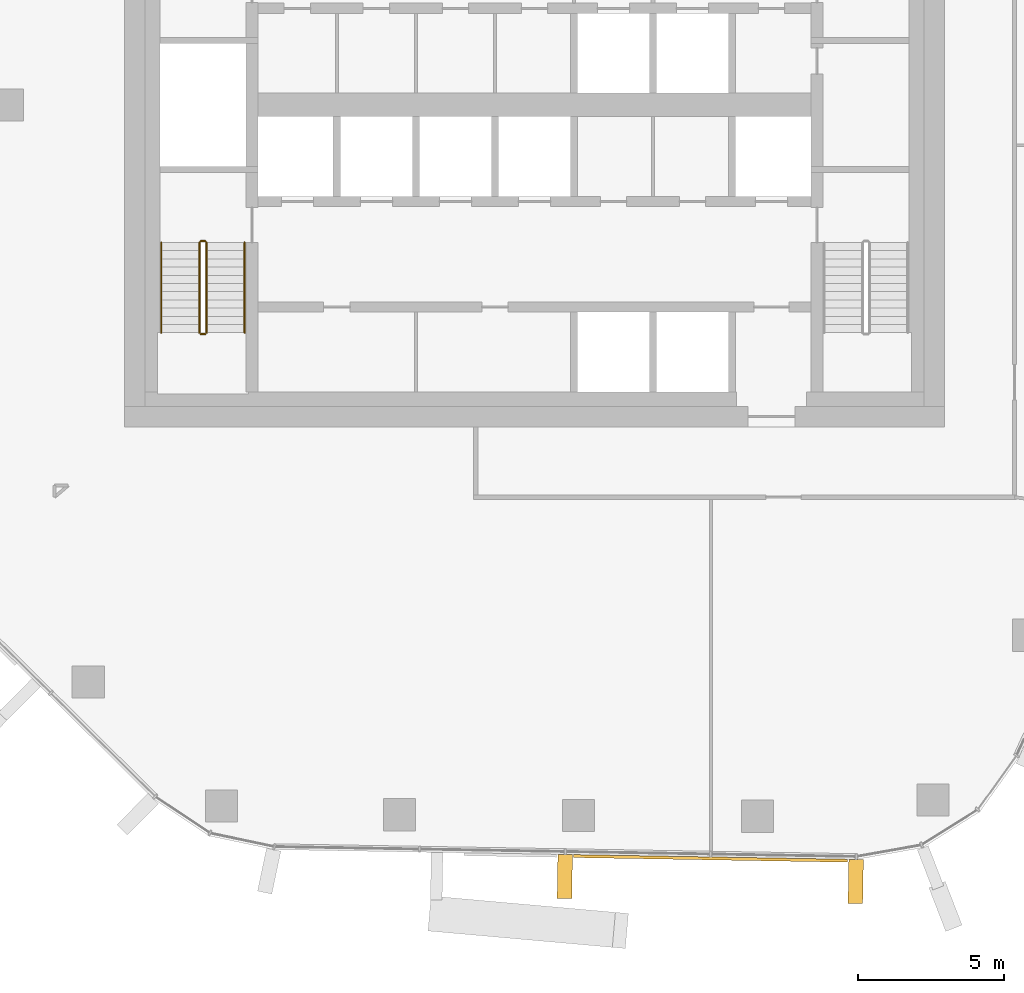
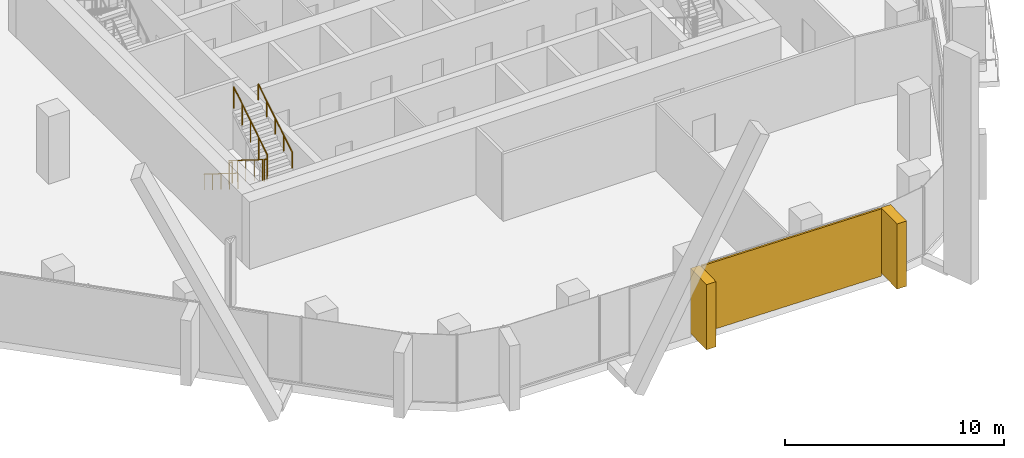
# One storey, part 15 of 20: 6 railings, 3 coverings, 1 element without a shape of its own.
"""IFC4 building model written with IfcOpenShell, lengths in metres."""

from ifc_helpers import new_model, si_unit, direction, frame, origin, origin_2d, place, context, subcontext, project, spatial, rectangle, circle, extrude, material, layer, layer_set, material_profile, profile_set, type_object, element, aggregate, save


model = new_model("IFC4")

# Units and contexts
model_context = context("Model", 3, precision=1e-05, world=origin(), true_north=direction((0.0, 1.0)))
body_context = subcontext(model_context, "Body", "Model", "MODEL_VIEW")
ifc_project = project(units=[si_unit("LENGTHUNIT", "METRE"), si_unit("AREAUNIT", "SQUARE_METRE"), si_unit("VOLUMEUNIT", "CUBIC_METRE"), si_unit("PLANEANGLEUNIT", "RADIAN"), si_unit("MASSUNIT", "GRAM", prefix="KILO")], contexts=[model_context])

# Site, building, storey
site_placement = place(None, origin())
site = spatial("IfcSite", under=ifc_project, at=site_placement, CompositionType="ELEMENT")
building_placement = place(site_placement, origin())
building = spatial("IfcBuilding", under=site, at=building_placement, Name="Dongbaek Canopy Tower", CompositionType="ELEMENT")
storey_placement = place(building_placement, frame((0.0, 0.0, 228.60009765625)))
storey = spatial("IfcBuildingStorey", under=building, at=storey_placement, Name="L47", CompositionType="ELEMENT", Elevation=228.60009765625)

# Curtain wall, coverings
ifc_material_1 = material(Name="Aluminium 6063-T6 pale anodised", Category="aluminium")
ifc_layer_1 = layer(ifc_material_1, 0.199951171875)
ifc_layer_set_1 = layer_set([ifc_layer_1], Name="CW-1 unitised tower curtain wall")
curtain_wall_type = type_object("IfcCurtainWallType", Name="CW-1 unitised tower curtain wall", PredefinedType="NOTDEFINED", material=ifc_layer_set_1)
curtain_wall_placement = place(storey_placement, origin())
curtain_wall = element("IfcCurtainWall", 1, at=curtain_wall_placement, inside=storey, type_object=curtain_wall_type, Name="CW-1 curtain wall F4.1", PredefinedType="NOTDEFINED")
ifc_material_2 = material(Name="Perforated aluminium 6063-T6 pale metal screen", Category="aluminium")
ifc_layer_2 = layer(ifc_material_2, 0.10009765625)
ifc_layer_set_2 = layer_set([ifc_layer_2], Name="Facet screen FS1 100 pale metal")
covering_type_1 = type_object("IfcCoveringType", Name="Facet screen FS1 100 pale metal", PredefinedType="CLADDING", material=ifc_layer_set_2)
covering_1_placement = place(storey_placement, frame((6.018310546875, -25.74169921875, 0.0), z_axis=(0.0, 0.0, 1.0), x_axis=(0.999855600853, -0.016993452933, 0.0)))
covering_1 = element("IfcCovering", 2, at=covering_1_placement, type_object=covering_type_1, Name="Facet screen L47 F4", PredefinedType="CLADDING", context=body_context, shape_type="SweptSolid", body=[
    extrude(rectangle(XDim=9.3603515625, YDim=0.10009765625, at=origin_2d()), origin(), (0.0, 0.0, 1.0), 3.75),
])
ifc_material_3 = material(Name="Aluminium 6063-T6 pale metal fin", Category="aluminium")
ifc_material_profile = material_profile(ifc_material_3, rectangle(XDim=1.5, YDim=0.5, at=origin_2d()), Name="Fin FN1 500 x 1500 pale metal")
ifc_profile_set = profile_set([ifc_material_profile], Name="Aluminium 6063-T6 pale metal fin")
covering_type_2 = type_object("IfcCoveringType", Name="Fin FN1 500 x 1500 pale metal", PredefinedType="CLADDING", material=ifc_profile_set)
covering_2_placement = place(storey_placement, frame((1.036865234375, -26.361083984375, 0.119873046875), z_axis=(0.0, 0.0, 1.0), x_axis=(-0.016993149743, -0.999855606006, 0.0)))
covering_2 = element("IfcCovering", 3, at=covering_2_placement, type_object=covering_type_2, Name="Fin F4.1.3", PredefinedType="CLADDING", context=body_context, shape_type="SweptSolid", body=[
    extrude(rectangle(XDim=1.5, YDim=0.5, at=origin_2d()), origin(), (0.0, 0.0, 1.0), 3.630126953125),
])
covering_3_placement = place(storey_placement, frame((10.975830078125, -26.530029296875, 0.119873046875), z_axis=(0.0, 0.0, 1.0), x_axis=(-0.016993149743, -0.999855606006, 0.0)))
covering_3 = element("IfcCovering", 4, at=covering_3_placement, type_object=covering_type_2, Name="Fin F4.1.5", PredefinedType="CLADDING", context=body_context, shape_type="SweptSolid", body=[
    extrude(rectangle(XDim=1.5, YDim=0.5, at=origin_2d()), origin(), (0.0, 0.0, 1.0), 3.630126953125),
])
aggregate(curtain_wall, [covering_2, covering_3, covering_1])

# Railings
ifc_material_4 = material(Name="Stainless steel tube and balusters", Category="steel")
railing_type_1 = type_object("IfcRailingType", Name="Stair guard 1200", PredefinedType="GUARDRAIL", material=ifc_material_4)
railing_1_placement = place(storey_placement, frame((-11.449951171875, -4.699951171875, 0.1748046875)))
element("IfcRailing", 5, at=railing_1_placement, inside=storey, type_object=railing_type_1, Name="L47 ST-D stair guard 1", PredefinedType="GUARDRAIL", context=body_context, shape_type="SweptSolid", body=[
    extrude(circle(Radius=0.02392578125, at=origin_2d()), frame((0.0, 0.0, 1.17578125), z_axis=(0.0, -0.847998304005, 0.529998940003), x_axis=(1.0, 0.0, 0.0)), (0.0, 0.0, 1.0), 3.632080078125),
    extrude(circle(Radius=0.02099609375, at=origin_2d()), origin(), (0.0, 0.0, 1.0), 1.15185546875),
    extrude(circle(Radius=0.02099609375, at=origin_2d()), frame((0.0, -0.77001953125, 0.481201171875)), (0.0, 0.0, 1.0), 1.15185546875),
    extrude(circle(Radius=0.02099609375, at=origin_2d()), frame((0.0, -1.5400390625, 0.96240234375)), (0.0, 0.0, 1.0), 1.15185546875),
    extrude(circle(Radius=0.02099609375, at=origin_2d()), frame((0.0, -2.31005859375, 1.44384765625)), (0.0, 0.0, 1.0), 1.15185546875),
    extrude(circle(Radius=0.02099609375, at=origin_2d()), frame((0.0, -3.080078125, 1.925048828125)), (0.0, 0.0, 1.0), 1.15185546875),
])
railing_2_placement = place(storey_placement, frame((-11.39990234375, -7.830078125, 2.099853515625)))
element("IfcRailing", 6, at=railing_2_placement, inside=storey, type_object=railing_type_1, Name="L47 ST-D stair guard 2", PredefinedType="GUARDRAIL", context=body_context, shape_type="SweptSolid", body=[
    extrude(circle(Radius=0.02392578125, at=origin_2d()), frame((0.0, 0.0, 1.17578125), z_axis=(1.0, 0.0, 0.0), x_axis=(0.0, 1.0, 0.0)), (0.0, 0.0, 1.0), 0.14990234375),
    extrude(circle(Radius=0.02099609375, at=origin_2d()), origin(), (0.0, 0.0, 1.0), 1.15185546875),
    extrude(circle(Radius=0.02099609375, at=origin_2d()), frame((0.14990234375, 0.0, 0.0)), (0.0, 0.0, 1.0), 1.15185546875),
])
railing_3_placement = place(storey_placement, frame((-11.199951171875, -7.780029296875, 2.27490234375)))
element("IfcRailing", 7, at=railing_3_placement, inside=storey, type_object=railing_type_1, Name="L47 ST-D stair guard 3", PredefinedType="GUARDRAIL", context=body_context, shape_type="SweptSolid", body=[
    extrude(circle(Radius=0.02392578125, at=origin_2d()), frame((0.0, 0.0, 1.17578125), z_axis=(0.0, 0.847998304005, 0.529998940003), x_axis=(-1.0, 0.0, 0.0)), (0.0, 0.0, 1.0), 3.632080078125),
    extrude(circle(Radius=0.02099609375, at=origin_2d()), origin(), (0.0, 0.0, 1.0), 1.15185546875),
    extrude(circle(Radius=0.02099609375, at=origin_2d()), frame((0.0, 0.77001953125, 0.481201171875)), (0.0, 0.0, 1.0), 1.15185546875),
    extrude(circle(Radius=0.02099609375, at=origin_2d()), frame((0.0, 1.5400390625, 0.96240234375)), (0.0, 0.0, 1.0), 1.15185546875),
    extrude(circle(Radius=0.02099609375, at=origin_2d()), frame((0.0, 2.31005859375, 1.44384765625)), (0.0, 0.0, 1.0), 1.15185546875),
    extrude(circle(Radius=0.02099609375, at=origin_2d()), frame((0.0, 3.080078125, 1.925048828125)), (0.0, 0.0, 1.0), 1.15185546875),
])
railing_4_placement = place(storey_placement, frame((-11.39990234375, -4.64990234375, 0.0)))
element("IfcRailing", 8, at=railing_4_placement, inside=storey, type_object=railing_type_1, Name="L47 ST-D stair guard 4", PredefinedType="GUARDRAIL", context=body_context, shape_type="SweptSolid", body=[
    extrude(circle(Radius=0.02392578125, at=origin_2d()), frame((0.0, 0.0, 1.17578125), z_axis=(1.0, 0.0, 0.0), x_axis=(0.0, 1.0, 0.0)), (0.0, 0.0, 1.0), 0.14990234375),
    extrude(circle(Radius=0.02099609375, at=origin_2d()), origin(), (0.0, 0.0, 1.0), 1.15185546875),
    extrude(circle(Radius=0.02099609375, at=origin_2d()), frame((0.14990234375, 0.0, 0.0)), (0.0, 0.0, 1.0), 1.15185546875),
])
ifc_material_5 = material(Name="Stainless steel tube", Category="steel")
railing_type_2 = type_object("IfcRailingType", Name="Stair handrail 900", PredefinedType="HANDRAIL", material=ifc_material_5)
railing_5_placement = place(storey_placement, frame((-12.75, -4.699951171875, 0.1748046875)))
element("IfcRailing", 9, at=railing_5_placement, inside=storey, type_object=railing_type_2, Name="L47 ST-D stair handrail 1", PredefinedType="HANDRAIL", context=body_context, shape_type="SweptSolid", body=[
    extrude(circle(Radius=0.02392578125, at=origin_2d()), frame((0.0, 0.0, 0.8759765625), z_axis=(0.0, -0.847998304005, 0.529998940003), x_axis=(1.0, 0.0, 0.0)), (0.0, 0.0, 1.0), 3.632080078125),
    extrude(circle(Radius=0.02099609375, at=origin_2d()), origin(), (0.0, 0.0, 1.0), 0.851806640625),
    extrude(circle(Radius=0.02099609375, at=origin_2d()), frame((0.0, -0.77001953125, 0.481201171875)), (0.0, 0.0, 1.0), 0.851806640625),
    extrude(circle(Radius=0.02099609375, at=origin_2d()), frame((0.0, -1.5400390625, 0.96240234375)), (0.0, 0.0, 1.0), 0.851806640625),
    extrude(circle(Radius=0.02099609375, at=origin_2d()), frame((0.0, -2.31005859375, 1.44384765625)), (0.0, 0.0, 1.0), 0.851806640625),
    extrude(circle(Radius=0.02099609375, at=origin_2d()), frame((0.0, -3.080078125, 1.925048828125)), (0.0, 0.0, 1.0), 0.851806640625),
])
railing_6_placement = place(storey_placement, frame((-9.89990234375, -7.780029296875, 2.27490234375)))
element("IfcRailing", 10, at=railing_6_placement, inside=storey, type_object=railing_type_2, Name="L47 ST-D stair handrail 2", PredefinedType="HANDRAIL", context=body_context, shape_type="SweptSolid", body=[
    extrude(circle(Radius=0.02392578125, at=origin_2d()), frame((0.0, 0.0, 0.8759765625), z_axis=(0.0, 0.847998304005, 0.529998940003), x_axis=(-1.0, 0.0, 0.0)), (0.0, 0.0, 1.0), 3.632080078125),
    extrude(circle(Radius=0.02099609375, at=origin_2d()), origin(), (0.0, 0.0, 1.0), 0.851806640625),
    extrude(circle(Radius=0.02099609375, at=origin_2d()), frame((0.0, 0.77001953125, 0.481201171875)), (0.0, 0.0, 1.0), 0.851806640625),
    extrude(circle(Radius=0.02099609375, at=origin_2d()), frame((0.0, 1.5400390625, 0.96240234375)), (0.0, 0.0, 1.0), 0.851806640625),
    extrude(circle(Radius=0.02099609375, at=origin_2d()), frame((0.0, 2.31005859375, 1.44384765625)), (0.0, 0.0, 1.0), 0.851806640625),
    extrude(circle(Radius=0.02099609375, at=origin_2d()), frame((0.0, 3.080078125, 1.925048828125)), (0.0, 0.0, 1.0), 0.851806640625),
])

save(model, "model.ifc")
